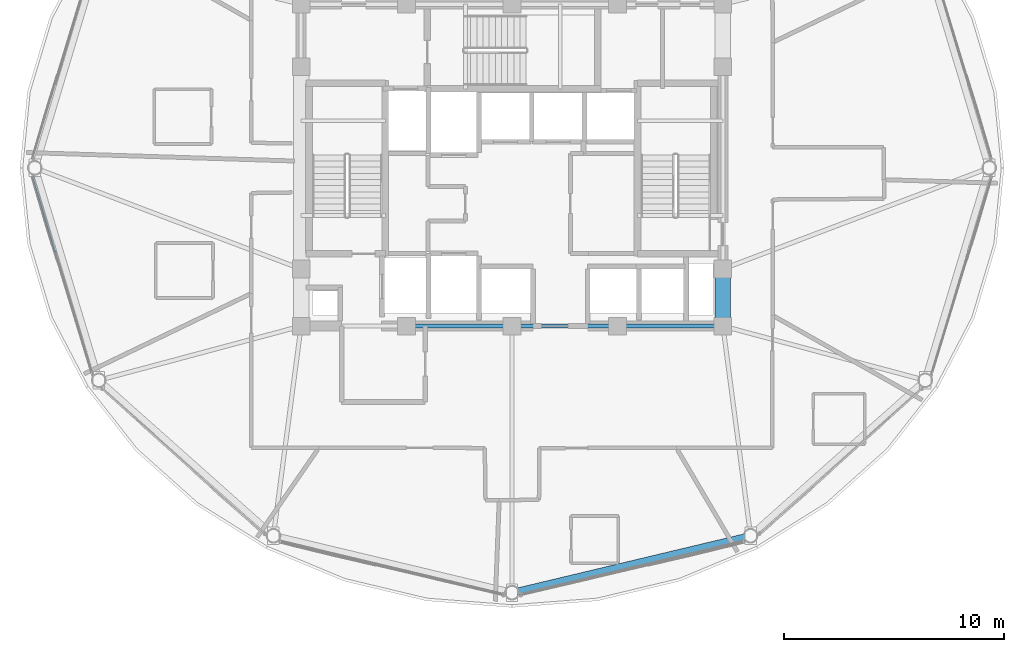
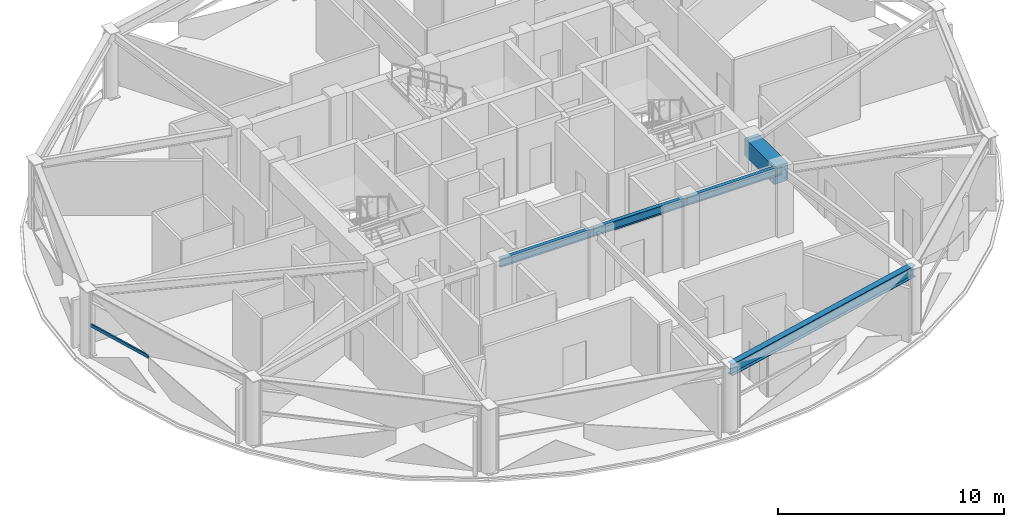
# One storey, part 6 of 28: 5 beams, 1 member, 1 element without a shape of its own.
"""IFC4 building model written with IfcOpenShell, lengths in metres."""

from ifc_helpers import new_model, si_unit, direction, frame, origin, origin_2d, place, context, subcontext, project, spatial, rectangle, hollow_rectangle, i_section, extrude, material, layer, layer_set, material_profile, profile_set, type_object, element, aggregate, save


model = new_model("IFC4")

# Units and contexts
model_context = context("Model", 3, precision=1e-05, world=origin(), true_north=direction((0.0, 1.0)))
body_context = subcontext(model_context, "Body", "Model", "MODEL_VIEW")
ifc_project = project(units=[si_unit("LENGTHUNIT", "METRE"), si_unit("AREAUNIT", "SQUARE_METRE"), si_unit("VOLUMEUNIT", "CUBIC_METRE"), si_unit("PLANEANGLEUNIT", "RADIAN"), si_unit("MASSUNIT", "GRAM", prefix="KILO")], contexts=[model_context])

# Site, building, storey
site_placement = place(None, origin())
site = spatial("IfcSite", under=ifc_project, at=site_placement, CompositionType="ELEMENT")
building_placement = place(site_placement, origin())
building = spatial("IfcBuilding", under=site, at=building_placement, Name="Vantalir Tower", CompositionType="ELEMENT")
storey_placement = place(building_placement, frame((0.0, 0.0, 238.64990234375)))
storey = spatial("IfcBuildingStorey", under=building, at=storey_placement, Name="L60", CompositionType="ELEMENT", Elevation=238.64990234375)

# Beams
ifc_material_1 = material(Name="Concrete C60/75", Category="concrete")
ifc_material_profile_1 = material_profile(ifc_material_1, rectangle(XDim=0.699951171875, YDim=0.949951171875, at=origin_2d()), Name="Concrete C60/75")
ifc_profile_set_1 = profile_set([ifc_material_profile_1], Name="Concrete C60/75")
beam_type_1 = type_object("IfcBeamType", Name="BM-CB-700x950", PredefinedType="USERDEFINED", material=ifc_profile_set_1)
beam_1_placement = place(storey_placement, frame((41.10009765625, 17.800048828125, 3.09521484375), z_axis=(0.0, 1.0, 0.0), x_axis=(-1.0, 0.0, 0.0)))
element("IfcBeam", 1, at=beam_1_placement, inside=storey, type_object=beam_type_1, Name="L60 Core Coupling Girder 05", ObjectType="GIRDER", PredefinedType="USERDEFINED", context=body_context, shape_type="SweptSolid", body=[
    extrude(rectangle(XDim=0.699951171875, YDim=0.949951171875, at=origin_2d()), origin(), (0.0, 0.0, 1.0), 2.599853515625),
])
ifc_material_2 = material(Name="Steel S355", Category="steel")
ifc_material_profile_2 = material_profile(ifc_material_2, i_section(OverallWidth=0.19189453125, OverallDepth=0.462890625, WebThickness=0.010498046875, FlangeThickness=0.017578125, at=origin_2d()), Name="Steel S355")
ifc_profile_set_2 = profile_set([ifc_material_profile_2], Name="Steel S355")
beam_type_2 = type_object("IfcBeamType", Name="BM-RB-457x191", PredefinedType="BEAM", material=ifc_profile_set_2)
for number, where, z_axis, x_axis, name in (
    (2, (26.699951171875, 17.800048828125, 3.338134765625), (1.0, 0.0, 0.0), (0.0, 1.0, 0.0), "L60 Core Coupling Girder 02"),
    (3, (31.5, 17.800048828125, 3.338134765625), (1.0, 0.0, 0.0), (0.0, 1.0, 0.0), "L60 Core Coupling Girder 03"),
    (4, (36.300048828125, 17.800048828125, 3.338134765625), (1.0, 0.0, 0.0), (0.0, 1.0, 0.0), "L60 Core Coupling Girder 04"),
):
    element("IfcBeam", number, at=place(storey_placement, frame(where, z_axis=z_axis, x_axis=x_axis)), inside=storey, type_object=beam_type_2, Name=name, PredefinedType="BEAM", context=body_context, shape_type="SweptSolid", body=[
        extrude(i_section(OverallWidth=0.19189453125, OverallDepth=0.462890625, WebThickness=0.010498046875, FlangeThickness=0.017578125, at=origin_2d()), origin(), (0.0, 0.0, 1.0), 4.800048828125),
    ])
ifc_material_3 = material(Name="Steel S460", Category="steel")
ifc_material_profile_3 = material_profile(ifc_material_3, i_section(OverallWidth=0.306884765625, OverallDepth=0.6201171875, WebThickness=0.01416015625, FlangeThickness=0.023681640625, at=origin_2d()), Name="Steel S460")
ifc_profile_set_3 = profile_set([ifc_material_profile_3], Name="Steel S460")
beam_type_3 = type_object("IfcBeamType", Name="BM-RG-610x305", PredefinedType="USERDEFINED", material=ifc_profile_set_3)
beam_2_placement = place(storey_placement, frame((31.5, 5.6669921875, 3.260009765625), z_axis=(0.97271250926, 0.23201373737, 0.0), x_axis=(-0.23201373737, 0.97271250926, 0.0)))
element("IfcBeam", 5, at=beam_2_placement, inside=storey, type_object=beam_type_3, Name="L60 Circumferential Ring Girder 10", ObjectType="GIRDER", PredefinedType="USERDEFINED", context=body_context, shape_type="SweptSolid", body=[
    extrude(i_section(OverallWidth=0.306884765625, OverallDepth=0.6201171875, WebThickness=0.01416015625, FlangeThickness=0.023681640625, at=origin_2d()), origin(), (0.0, 0.0, 1.0), 11.16357421875),
])

# Curtain wall, member
ifc_material_4 = material(Name="Champagne-silver PVDF aluminium and double-silver Low-E glass", Category="aluminium")
ifc_layer = layer(ifc_material_4, 0.2099609375)
ifc_layer_set = layer_set([ifc_layer], Name="Champagne-silver PVDF aluminium and double-silver Low-E glass")
curtain_wall_type = type_object("IfcCurtainWallType", Name="CW-DIAMOND-Z3", PredefinedType="USERDEFINED", material=ifc_layer_set)
curtain_wall_placement = place(storey_placement, origin())
curtain_wall = element("IfcCurtainWall", 6, at=curtain_wall_placement, inside=storey, type_object=curtain_wall_type, Name="L60 Quilted Pyramid-Diamond Curtain Wall S07", ObjectType="UNITISED CURTAIN WALL", PredefinedType="USERDEFINED")
ifc_material_5 = material(Name="Champagne-silver PVDF aluminium 6063-T6", Category="aluminium")
ifc_material_profile_4 = material_profile(ifc_material_5, hollow_rectangle(XDim=0.074951171875, YDim=0.159912109375, WallThickness=0.00390625, at=origin_2d()), Name="Champagne-silver PVDF aluminium 6063-T6")
ifc_profile_set_4 = profile_set([ifc_material_profile_4], Name="Champagne-silver PVDF aluminium 6063-T6")
member_type = type_object("IfcMemberType", Name="CWT-160x75", PredefinedType="USERDEFINED", material=ifc_profile_set_4)
member_placement = place(storey_placement, frame((9.7099609375, 24.60693359375, 1.78515625), z_axis=(0.281527466981, -0.959553169624, 0.0), x_axis=(0.959553169624, 0.281527466981, 0.0)))
member = element("IfcMember", 7, at=member_placement, type_object=member_type, Name="CW-L60-S07 Pyramid Fold Ridge Transom", ObjectType="TRANSOM", PredefinedType="USERDEFINED", context=body_context, shape_type="SweptSolid", body=[
    extrude(hollow_rectangle(XDim=0.074951171875, YDim=0.159912109375, WallThickness=0.00390625, at=origin_2d()), origin(), (0.0, 0.0, 1.0), 3.55908203125),
])
aggregate(curtain_wall, [member])

save(model, "model.ifc")
